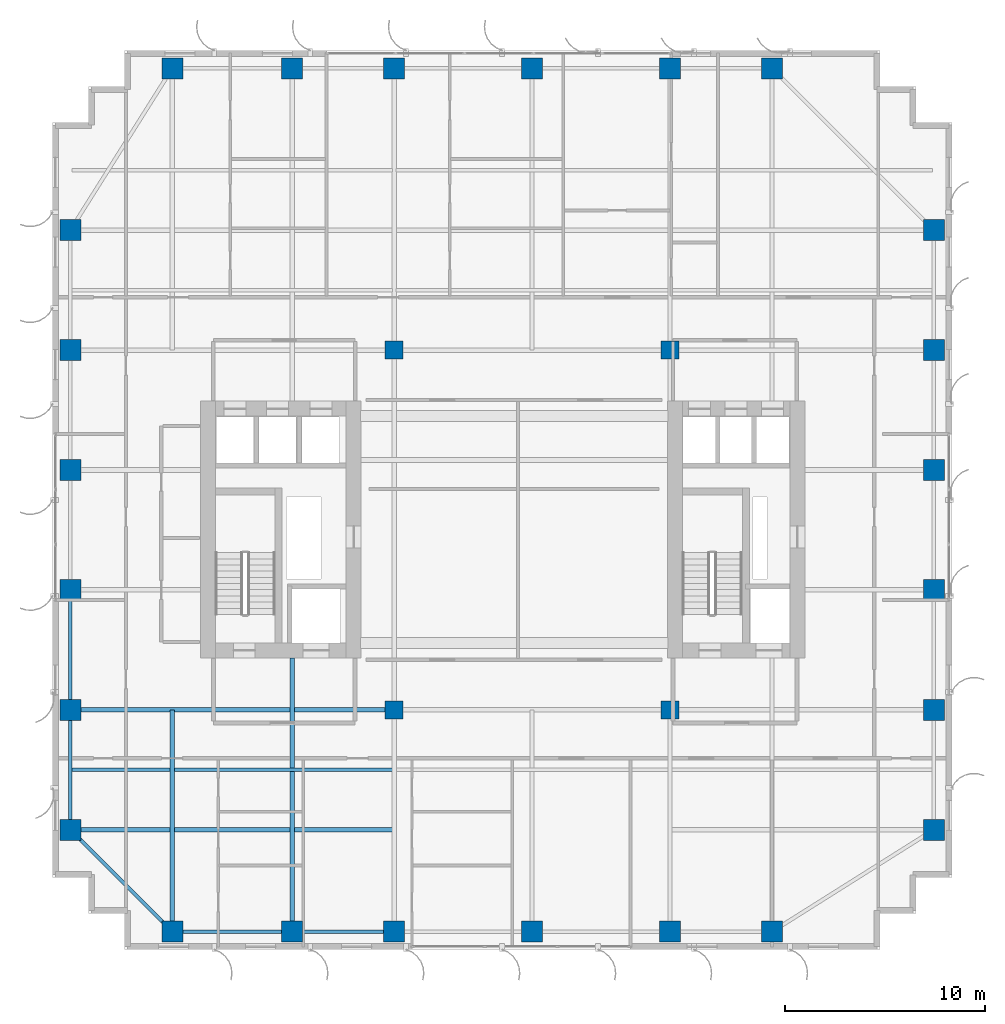
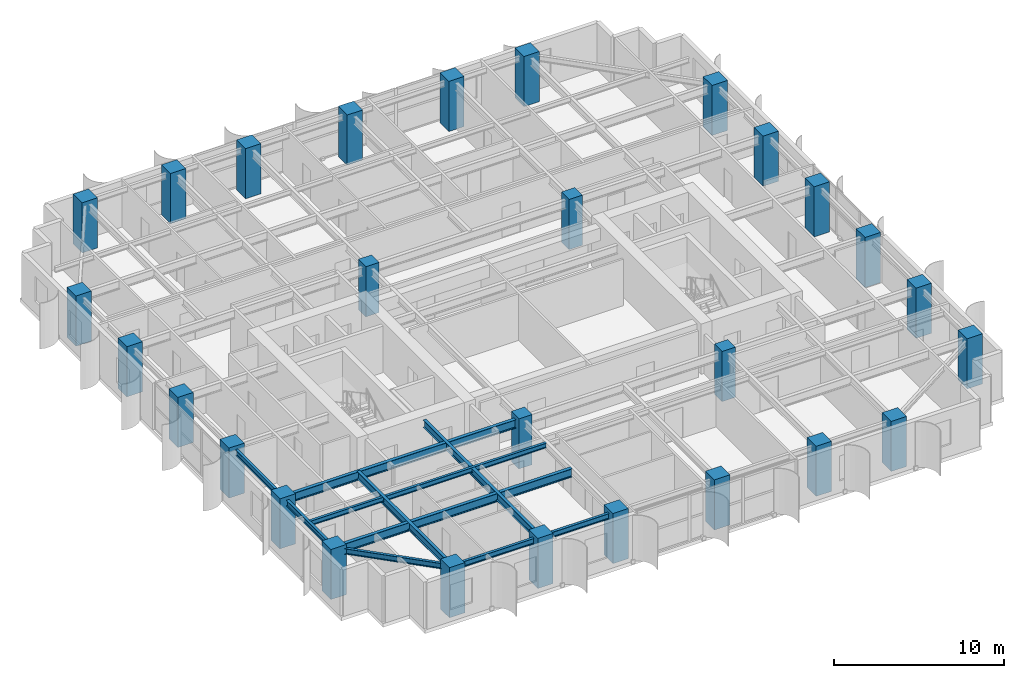
# One storey, part 1 of 21: 28 columns, 10 beams.
"""IFC4 building model written with IfcOpenShell, lengths in metres."""

from ifc_helpers import new_model, si_unit, direction, frame, origin, origin_2d, place, context, subcontext, project, spatial, rectangle, i_section, extrude, source, transform, mapped, material, material_profile, profile_set, type_object, element, save


model = new_model("IFC4")

# Units and contexts
model_context = context("Model", 3, precision=1e-05, world=origin(), true_north=direction((0.0, 1.0)))
body_context = subcontext(model_context, "Body", "Model", "MODEL_VIEW")
ifc_project = project(units=[si_unit("LENGTHUNIT", "METRE"), si_unit("AREAUNIT", "SQUARE_METRE"), si_unit("VOLUMEUNIT", "CUBIC_METRE"), si_unit("PLANEANGLEUNIT", "RADIAN"), si_unit("MASSUNIT", "GRAM", prefix="KILO")], contexts=[model_context])

# Site, building, storey
site_placement = place(None, origin())
site = spatial("IfcSite", under=ifc_project, at=site_placement, CompositionType="ELEMENT")
building_placement = place(site_placement, origin())
building = spatial("IfcBuilding", under=site, at=building_placement, Name="Khoralis Quay Care Tower", CompositionType="ELEMENT")
storey_placement = place(building_placement, frame((0.0, 0.0, 112.5)))
storey = spatial("IfcBuildingStorey", under=building, at=storey_placement, Name="L29", CompositionType="ELEMENT", Elevation=112.5)

# Columns
ifc_material_1 = material(Name="Concrete C65/80", Category="concrete")
ifc_material_profile_1 = material_profile(ifc_material_1, rectangle(XDim=1.050048828125, YDim=1.050048828125, at=origin_2d()), Name="Concrete C65/80")
ifc_profile_set_1 = profile_set([ifc_material_profile_1], Name="Concrete C65/80")
column_type_1 = type_object("IfcColumnType", Name="COL-C1050", PredefinedType="COLUMN", material=ifc_profile_set_1)
shared_shape_1 = source(origin(), body_context, "Body", "SweptSolid", [
    extrude(rectangle(XDim=1.050048828125, YDim=1.050048828125, at=origin_2d()), origin(), (0.0, 0.0, 1.0), 3.60009765625),
])
for number, where, z_axis, x_axis, name in (
    (1, (6.0, 0.89990234375, 0.0), (0.0, 0.0, 1.0), (1.0, 0.0, 0.0), "COL-TWR-L29-01"),
    (2, (6.0, 44.10009765625, 0.0), (0.0, 0.0, 1.0), (1.0, 0.0, 0.0), "COL-TWR-L29-02"),
    (3, (12.0, 0.89990234375, 0.0), (0.0, 0.0, 1.0), (1.0, 0.0, 0.0), "COL-TWR-L29-03"),
    (4, (12.0, 44.10009765625, 0.0), (0.0, 0.0, 1.0), (1.0, 0.0, 0.0), "COL-TWR-L29-04"),
    (5, (17.10009765625, 0.89990234375, 0.0), (0.0, 0.0, 1.0), (1.0, 0.0, 0.0), "COL-TWR-L29-05"),
    (6, (17.10009765625, 44.10009765625, 0.0), (0.0, 0.0, 1.0), (1.0, 0.0, 0.0), "COL-TWR-L29-06"),
    (7, (24.0, 0.89990234375, 0.0), (0.0, 0.0, 1.0), (1.0, 0.0, 0.0), "COL-TWR-L29-07"),
    (8, (24.0, 44.10009765625, 0.0), (0.0, 0.0, 1.0), (1.0, 0.0, 0.0), "COL-TWR-L29-08"),
    (9, (30.89990234375, 0.89990234375, 0.0), (0.0, 0.0, 1.0), (1.0, 0.0, 0.0), "COL-TWR-L29-09"),
    (10, (30.89990234375, 44.10009765625, 0.0), (0.0, 0.0, 1.0), (1.0, 0.0, 0.0), "COL-TWR-L29-10"),
    (11, (36.0, 0.89990234375, 0.0), (0.0, 0.0, 1.0), (1.0, 0.0, 0.0), "COL-TWR-L29-11"),
    (12, (36.0, 44.10009765625, 0.0), (0.0, 0.0, 1.0), (1.0, 0.0, 0.0), "COL-TWR-L29-12"),
    (13, (0.89990234375, 6.0, 0.0), (0.0, 0.0, 1.0), (1.0, 0.0, 0.0), "COL-TWR-L29-13"),
    (14, (44.10009765625, 6.0, 0.0), (0.0, 0.0, 1.0), (1.0, 0.0, 0.0), "COL-TWR-L29-14"),
    (15, (0.89990234375, 12.0, 0.0), (0.0, 0.0, 1.0), (1.0, 0.0, 0.0), "COL-TWR-L29-15"),
    (16, (44.10009765625, 12.0, 0.0), (0.0, 0.0, 1.0), (1.0, 0.0, 0.0), "COL-TWR-L29-16"),
    (17, (0.89990234375, 18.0, 0.0), (0.0, 0.0, 1.0), (1.0, 0.0, 0.0), "COL-TWR-L29-17"),
    (18, (44.10009765625, 18.0, 0.0), (0.0, 0.0, 1.0), (1.0, 0.0, 0.0), "COL-TWR-L29-18"),
    (19, (0.89990234375, 24.0, 0.0), (0.0, 0.0, 1.0), (1.0, 0.0, 0.0), "COL-TWR-L29-19"),
    (20, (44.10009765625, 24.0, 0.0), (0.0, 0.0, 1.0), (1.0, 0.0, 0.0), "COL-TWR-L29-20"),
    (21, (0.89990234375, 30.0, 0.0), (0.0, 0.0, 1.0), (1.0, 0.0, 0.0), "COL-TWR-L29-21"),
    (22, (44.10009765625, 30.0, 0.0), (0.0, 0.0, 1.0), (1.0, 0.0, 0.0), "COL-TWR-L29-22"),
    (23, (0.89990234375, 36.0, 0.0), (0.0, 0.0, 1.0), (1.0, 0.0, 0.0), "COL-TWR-L29-23"),
    (24, (44.10009765625, 36.0, 0.0), (0.0, 0.0, 1.0), (1.0, 0.0, 0.0), "COL-TWR-L29-24"),
):
    element("IfcColumn", number, at=place(storey_placement, frame(where, z_axis=z_axis, x_axis=x_axis)), inside=storey, type_object=column_type_1, Name=name, PredefinedType="COLUMN", context=body_context, shape_type="MappedRepresentation", body=[
        mapped(shared_shape_1, transform((0.0, 0.0, 0.0), scale=1.0)),
    ])
ifc_material_profile_2 = material_profile(ifc_material_1, rectangle(XDim=0.89990234375, YDim=0.89990234375, at=origin_2d()), Name="Concrete C65/80")
ifc_profile_set_2 = profile_set([ifc_material_profile_2], Name="Concrete C65/80")
column_type_2 = type_object("IfcColumnType", Name="COL-C900", PredefinedType="COLUMN", material=ifc_profile_set_2)
shared_shape_2 = source(origin(), body_context, "Body", "SweptSolid", [
    extrude(rectangle(XDim=0.89990234375, YDim=0.89990234375, at=origin_2d()), origin(), (0.0, 0.0, 1.0), 3.60009765625),
])
for number, where, z_axis, x_axis, name in (
    (25, (17.10009765625, 12.0, 0.0), (0.0, 0.0, 1.0), (1.0, 0.0, 0.0), "COL-TWR-L29-25"),
    (26, (17.10009765625, 30.0, 0.0), (0.0, 0.0, 1.0), (1.0, 0.0, 0.0), "COL-TWR-L29-26"),
    (27, (30.89990234375, 12.0, 0.0), (0.0, 0.0, 1.0), (1.0, 0.0, 0.0), "COL-TWR-L29-27"),
    (28, (30.89990234375, 30.0, 0.0), (0.0, 0.0, 1.0), (1.0, 0.0, 0.0), "COL-TWR-L29-28"),
):
    element("IfcColumn", number, at=place(storey_placement, frame(where, z_axis=z_axis, x_axis=x_axis)), inside=storey, type_object=column_type_2, Name=name, PredefinedType="COLUMN", context=body_context, shape_type="MappedRepresentation", body=[
        mapped(shared_shape_2, transform((0.0, 0.0, 0.0), scale=1.0)),
    ])

# Beams
ifc_material_2 = material(Name="Steel S355", Category="steel")
ifc_material_profile_3 = material_profile(ifc_material_2, i_section(OverallWidth=0.179931640625, OverallDepth=0.39990234375, WebThickness=0.008544921875, FlangeThickness=0.013427734375, FilletRadius=0.02099609375, at=origin_2d()), Name="Steel S355")
ifc_profile_set_3 = profile_set([ifc_material_profile_3], Name="Steel S355")
beam_type_1 = type_object("IfcBeamType", Name="BM-IPE400", PredefinedType="SPANDREL", material=ifc_profile_set_3)
shared_shape_3 = source(origin(), body_context, "Body", "SweptSolid", [
    extrude(i_section(OverallWidth=0.179931640625, OverallDepth=0.39990234375, WebThickness=0.008544921875, FlangeThickness=0.013427734375, FilletRadius=0.02099609375, at=origin_2d()), origin(), (0.0, 0.0, 1.0), 6.0),
])
for number, where, z_axis, x_axis, name in (
    (29, (6.0, 0.89990234375, 3.139892578125), (1.0, 0.0, 0.0), (0.0, 1.0, 0.0), "BM-TSP-L29-01"),
    (30, (0.89990234375, 6.0, 3.139892578125), (0.0, 1.0, 0.0), (-1.0, 0.0, 0.0), "BM-TSP-L29-11"),
    (31, (0.89990234375, 12.0, 3.139892578125), (0.0, 1.0, 0.0), (-1.0, 0.0, 0.0), "BM-TSP-L29-12"),
):
    element("IfcBeam", number, at=place(storey_placement, frame(where, z_axis=z_axis, x_axis=x_axis)), inside=storey, type_object=beam_type_1, Name=name, PredefinedType="SPANDREL", context=body_context, shape_type="MappedRepresentation", body=[
        mapped(shared_shape_3, transform((0.0, 0.0, 0.0), scale=1.0)),
    ])
shared_shape_4 = source(origin(), body_context, "Body", "SweptSolid", [
    extrude(i_section(OverallWidth=0.179931640625, OverallDepth=0.39990234375, WebThickness=0.008544921875, FlangeThickness=0.013427734375, FilletRadius=0.02099609375, at=origin_2d()), origin(), (0.0, 0.0, 1.0), 5.10009765625),
])
beam_1_placement = place(storey_placement, frame((12.0, 0.89990234375, 3.139892578125), z_axis=(1.0, 0.0, 0.0), x_axis=(0.0, 1.0, 0.0)))
element("IfcBeam", 32, at=beam_1_placement, inside=storey, type_object=beam_type_1, Name="BM-TSP-L29-02", PredefinedType="SPANDREL", context=body_context, shape_type="MappedRepresentation", body=[
    mapped(shared_shape_4, transform((0.0, 0.0, 0.0), scale=1.0)),
])
shared_shape_5 = source(origin(), body_context, "Body", "SweptSolid", [
    extrude(i_section(OverallWidth=0.179931640625, OverallDepth=0.39990234375, WebThickness=0.008544921875, FlangeThickness=0.013427734375, FilletRadius=0.02099609375, at=origin_2d()), origin(), (0.0, 0.0, 1.0), 7.212646484375),
])
beam_2_placement = place(storey_placement, frame((6.0, 0.89990234375, 3.139892578125), z_axis=(-0.707106781187, 0.707106781187, 0.0), x_axis=(-0.707106781187, -0.707106781187, 0.0)))
element("IfcBeam", 33, at=beam_2_placement, inside=storey, type_object=beam_type_1, Name="BM-TCR-L29-21", PredefinedType="SPANDREL", context=body_context, shape_type="MappedRepresentation", body=[
    mapped(shared_shape_5, transform((0.0, 0.0, 0.0), scale=1.0)),
])
ifc_material_profile_4 = material_profile(ifc_material_2, i_section(OverallWidth=0.22998046875, OverallDepth=0.616943359375, WebThickness=0.01318359375, FlangeThickness=0.022216796875, FilletRadius=0.01806640625, at=origin_2d()), Name="Steel S355")
ifc_profile_set_4 = profile_set([ifc_material_profile_4], Name="Steel S355")
beam_type_2 = type_object("IfcBeamType", Name="BM-W610X140", PredefinedType="BEAM", material=ifc_profile_set_4)
shared_shape_6 = source(origin(), body_context, "Body", "SweptSolid", [
    extrude(i_section(OverallWidth=0.22998046875, OverallDepth=0.616943359375, WebThickness=0.01318359375, FlangeThickness=0.022216796875, FilletRadius=0.01806640625, at=origin_2d()), origin(), (0.0, 0.0, 1.0), 16.106201171875),
])
beam_3_placement = place(storey_placement, frame((0.89990234375, 6.0, 3.031494140625), z_axis=(1.0, 0.0, 0.0), x_axis=(0.0, 1.0, 0.0)))
element("IfcBeam", 34, at=beam_3_placement, inside=storey, type_object=beam_type_2, Name="BM-TGXW-L29-60", PredefinedType="BEAM", context=body_context, shape_type="MappedRepresentation", body=[
    mapped(shared_shape_6, transform((0.0, 0.0, 0.0), scale=1.0)),
])
shared_shape_7 = source(origin(), body_context, "Body", "SweptSolid", [
    extrude(i_section(OverallWidth=0.22998046875, OverallDepth=0.616943359375, WebThickness=0.01318359375, FlangeThickness=0.022216796875, FilletRadius=0.01806640625, at=origin_2d()), origin(), (0.0, 0.0, 1.0), 16.2001953125),
])
beam_4_placement = place(storey_placement, frame((0.89990234375, 12.0, 3.031494140625), z_axis=(1.0, 0.0, 0.0), x_axis=(0.0, 1.0, 0.0)))
element("IfcBeam", 35, at=beam_4_placement, inside=storey, type_object=beam_type_2, Name="BM-TGXW-L29-120", PredefinedType="BEAM", context=body_context, shape_type="MappedRepresentation", body=[
    mapped(shared_shape_7, transform((0.0, 0.0, 0.0), scale=1.0)),
])
ifc_material_profile_5 = material_profile(ifc_material_2, i_section(OverallWidth=0.2119140625, OverallDepth=0.5439453125, WebThickness=0.01318359375, FlangeThickness=0.021240234375, FilletRadius=0.01611328125, at=origin_2d()), Name="Steel S355")
ifc_profile_set_5 = profile_set([ifc_material_profile_5], Name="Steel S355")
beam_type_3 = type_object("IfcBeamType", Name="BM-W530X123", PredefinedType="BEAM", material=ifc_profile_set_5)
shared_shape_8 = source(origin(), body_context, "Body", "SweptSolid", [
    extrude(i_section(OverallWidth=0.2119140625, OverallDepth=0.5439453125, WebThickness=0.01318359375, FlangeThickness=0.021240234375, FilletRadius=0.01611328125, at=origin_2d()), origin(), (0.0, 0.0, 1.0), 11.10009765625),
])
beam_5_placement = place(storey_placement, frame((6.0, 0.89990234375, 3.068115234375), z_axis=(0.0, 1.0, 0.0), x_axis=(-1.0, 0.0, 0.0)))
element("IfcBeam", 36, at=beam_5_placement, inside=storey, type_object=beam_type_3, Name="BM-TGYS-L29-60", PredefinedType="BEAM", context=body_context, shape_type="MappedRepresentation", body=[
    mapped(shared_shape_8, transform((0.0, 0.0, 0.0), scale=1.0)),
])
shared_shape_9 = source(origin(), body_context, "Body", "SweptSolid", [
    extrude(i_section(OverallWidth=0.2119140625, OverallDepth=0.5439453125, WebThickness=0.01318359375, FlangeThickness=0.021240234375, FilletRadius=0.01611328125, at=origin_2d()), origin(), (0.0, 0.0, 1.0), 13.7021484375),
])
beam_6_placement = place(storey_placement, frame((12.0, 0.89990234375, 3.068115234375), z_axis=(0.0, 1.0, 0.0), x_axis=(-1.0, 0.0, 0.0)))
element("IfcBeam", 37, at=beam_6_placement, inside=storey, type_object=beam_type_3, Name="BM-TGYS-L29-120", PredefinedType="BEAM", context=body_context, shape_type="MappedRepresentation", body=[
    mapped(shared_shape_9, transform((0.0, 0.0, 0.0), scale=1.0)),
])
ifc_material_profile_6 = material_profile(ifc_material_2, i_section(OverallWidth=0.1708984375, OverallDepth=0.35498046875, WebThickness=0.007080078125, FlangeThickness=0.01171875, FilletRadius=0.012939453125, at=origin_2d()), Name="Steel S355")
ifc_profile_set_6 = profile_set([ifc_material_profile_6], Name="Steel S355")
beam_type_4 = type_object("IfcBeamType", Name="BM-W360X51", PredefinedType="JOIST", material=ifc_profile_set_6)
shared_shape_10 = source(origin(), body_context, "Body", "SweptSolid", [
    extrude(i_section(OverallWidth=0.1708984375, OverallDepth=0.35498046875, WebThickness=0.007080078125, FlangeThickness=0.01171875, FilletRadius=0.012939453125, at=origin_2d()), origin(), (0.0, 0.0, 1.0), 16.030029296875),
])
beam_7_placement = place(storey_placement, frame((0.97607421875, 9.0, 3.16259765625), z_axis=(1.0, 0.0, 0.0), x_axis=(0.0, 1.0, 0.0)))
element("IfcBeam", 38, at=beam_7_placement, inside=storey, type_object=beam_type_4, Name="BM-TJS-L29-25", PredefinedType="JOIST", context=body_context, shape_type="MappedRepresentation", body=[
    mapped(shared_shape_10, transform((0.0, 0.0, 0.0), scale=1.0)),
])

save(model, "model.ifc")
